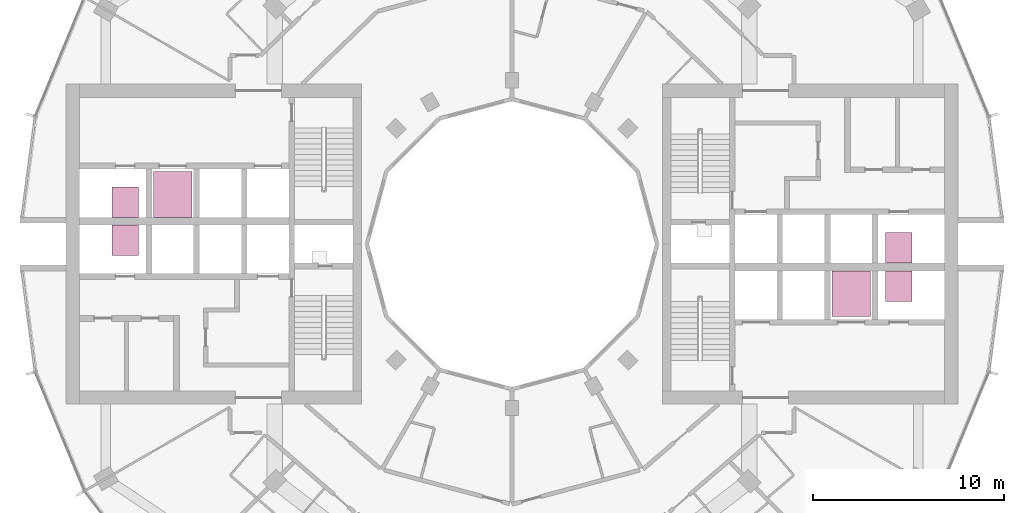
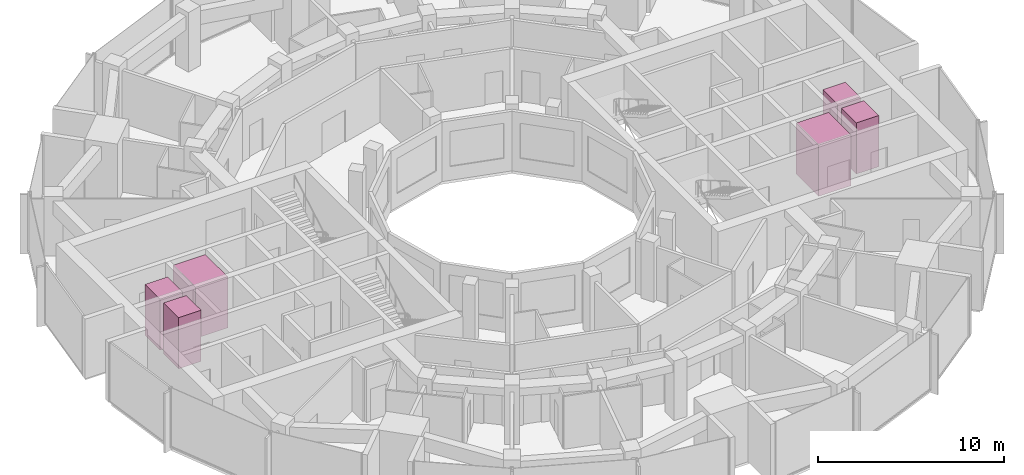
# One storey, part 15 of 15: 6 transport elements.
"""IFC4 building model written with IfcOpenShell, lengths in metres."""

import ifcopenshell
import ifcopenshell.guid

model = None  # the IFC model being written
_history = None  # IfcOwnerHistory: only IFC2X3 demands one
_inside = {}  # id of a spatial element -> (the spatial element, [elements in it])
_under = {}  # id of a project, library or spatial element -> (it, [spatial elements below it])
_declared = {}  # id of a project -> (the project, [libraries it declares])
_typed = {}  # id of a type object -> (the type object, [elements of that type])
_made_of = {}  # id of a material, layer set ... -> (it, [elements and type objects made of it])


def new_model(schema):
    """Start an empty IFC model of exactly this schema.

    Asked for "IFC4X3", IfcOpenShell would pick the latest addendum, in which some entities
    have other attributes; the version numbers below select the first issue.
    IFC2X3 requires an IfcOwnerHistory on every rooted entity: one is made here for all.
    """
    global model, _history
    if schema == "IFC4X3":
        model = ifcopenshell.file(schema_version=(4, 3, 0, 0))
    else:
        model = ifcopenshell.file(schema=schema)
    _inside.clear()
    _under.clear()
    _declared.clear()
    _typed.clear()
    _made_of.clear()
    _history = None
    if model.schema == "IFC2X3":
        org = make("IfcOrganization", Name="unknown")
        user = make(
            "IfcPersonAndOrganization",
            ThePerson=make("IfcPerson", FamilyName="unknown"),
            TheOrganization=org,
        )
        app = make(
            "IfcApplication",
            ApplicationDeveloper=org,
            Version="unknown",
            ApplicationFullName="unknown",
            ApplicationIdentifier="unknown",
        )
        _history = make(
            "IfcOwnerHistory",
            OwningUser=user,
            OwningApplication=app,
            ChangeAction="ADDED",
            CreationDate=0,
        )
    return model


def make(cls, **values):
    """One entity of the class cls with the attributes given. An attribute that is None is left unset."""
    return model.create_entity(
        cls, **{name: value for name, value in values.items() if value is not None}
    )


def rooted(cls, **values):
    """An entity with a GlobalId (a new one), such as an element, a storey or a relation."""
    return make(cls, GlobalId=ifcopenshell.guid.new(), OwnerHistory=_history, **values)


def si_unit(unit_type, name, prefix=None):
    """IfcSIUnit, for example si_unit("LENGTHUNIT", "METRE", prefix="MILLI")."""
    return make("IfcSIUnit", UnitType=unit_type, Prefix=prefix, Name=name)


def assignment(units):
    """IfcUnitAssignment: the units of a project."""
    return None if units is None else make("IfcUnitAssignment", Units=units)


def point(xyz):
    """IfcCartesianPoint."""
    return None if xyz is None else make("IfcCartesianPoint", Coordinates=xyz)


def direction(xyz):
    """IfcDirection."""
    return None if xyz is None else make("IfcDirection", DirectionRatios=xyz)


def frame(location, z_axis=None, x_axis=None):
    """IfcAxis2Placement3D, a coordinate frame: its origin and axes. An axis left out is left unset."""
    return make(
        "IfcAxis2Placement3D",
        Location=point(location),
        Axis=direction(z_axis),
        RefDirection=direction(x_axis),
    )


def frame_2d(location, x_axis=None):
    """IfcAxis2Placement2D, a coordinate frame in the plane: its origin and x axis."""
    return make(
        "IfcAxis2Placement2D", Location=point(location), RefDirection=direction(x_axis)
    )


def origin():
    """The frame at (0, 0, 0) with its axes left unset."""
    return frame((0.0, 0.0, 0.0))


def origin_2d():
    """The frame at (0, 0) in the plane with its x axis left unset."""
    return frame_2d((0.0, 0.0))


def place(relative_to, where):
    """IfcLocalPlacement: puts the frame where relative to a parent placement (None: the world)."""
    return make(
        "IfcLocalPlacement", PlacementRelTo=relative_to, RelativePlacement=where
    )


def context(
    kind, dimensions, precision=None, world=None, true_north=None, identifier=None
):
    """IfcGeometricRepresentationContext, for example the 3D "Model" context."""
    return make(
        "IfcGeometricRepresentationContext",
        ContextIdentifier=identifier,
        ContextType=kind,
        CoordinateSpaceDimension=dimensions,
        Precision=precision,
        WorldCoordinateSystem=world,
        TrueNorth=true_north,
    )


def subcontext(parent, identifier, kind, view, scale=None):
    """IfcGeometricRepresentationSubContext, for example "Body" below "Model"."""
    return make(
        "IfcGeometricRepresentationSubContext",
        ContextIdentifier=identifier,
        ContextType=kind,
        ParentContext=parent,
        TargetScale=scale,
        TargetView=view,
    )


def project(units=None, contexts=None):
    """IfcProject with its units and contexts."""
    return rooted(
        "IfcProject",
        Name="project",
        RepresentationContexts=contexts,
        UnitsInContext=assignment(units),
    )


def spatial(cls, under=None, at=None, **own):
    """A site, building, storey or space (cls), placed at a placement, below another one or the project."""
    s = rooted(cls, ObjectPlacement=at, **own)
    if under is not None:
        _under.setdefault(under.id(), (under, []))[1].append(s)
    return s


def profile(cls, at=None, kind="AREA", **sizes):
    """A parametric profile (cls). Its sizes go by their IFC names, for example OverallWidth=200.0."""
    return make(cls, ProfileType=kind, Position=at, **sizes)


def rectangle(**sizes):
    """IfcRectangleProfileDef."""
    return profile("IfcRectangleProfileDef", **sizes)


def extrude(swept, where, along, depth):
    """IfcExtrudedAreaSolid: the profile swept, set in the frame where, extruded along a direction by depth."""
    return make(
        "IfcExtrudedAreaSolid",
        SweptArea=swept,
        Position=where,
        ExtrudedDirection=direction(along),
        Depth=depth,
    )


def shape(context_of_items, identifier, shape_type, items):
    """IfcShapeRepresentation: the items that make up one representation, for example the "Body"."""
    return make(
        "IfcShapeRepresentation",
        ContextOfItems=context_of_items,
        RepresentationIdentifier=identifier,
        RepresentationType=shape_type,
        Items=items,
    )


def material(Name=None, Category=None):
    """IfcMaterial."""
    return make("IfcMaterial", Name=Name, Category=Category)


def made_of(thing, what):
    """Note that an element or type object is made of a material, layer set ...; save() writes the relation."""
    if what is not None:
        _made_of.setdefault(what.id(), (what, []))[1].append(thing)
    return thing


def type_object(cls, material=None, **own):
    """A type object (cls), such as IfcWallType, which elements share."""
    return made_of(rooted(cls, **own), material)


def element(
    cls,
    number,
    at=None,
    inside=None,
    cuts=None,
    type_object=None,
    material=None,
    context=None,
    identifier="Body",
    shape_type=None,
    held_by="IfcProductDefinitionShape",
    body=None,
    shapes=None,
    **own,
):
    """One element of the class cls, such as IfcWall. Its Tag is "e" and its number.

    at: its placement. inside: the storey or other place that contains it. cuts: it is an
    opening in that element (IfcRelVoidsElement). A single representation is given by context,
    identifier, shape_type and body (its items); several are given by shapes. held_by: the class
    of the entity that holds the representations. save() writes the other relations.
    """
    e = rooted(cls, Tag="e%d" % number, ObjectPlacement=at, **own)
    if body is not None:
        shapes = [shape(context, identifier, shape_type, body)]
    if shapes is not None:
        e.Representation = make(held_by, Representations=shapes)
    if inside is not None:
        _inside.setdefault(inside.id(), (inside, []))[1].append(e)
    if cuts is not None:
        rooted(
            "IfcRelVoidsElement", RelatingBuildingElement=cuts, RelatedOpeningElement=e
        )
    if type_object is not None:
        _typed.setdefault(type_object.id(), (type_object, []))[1].append(e)
    return made_of(e, material)


def aggregate(whole, parts):
    """IfcRelAggregates: a whole, such as a stair, and the parts it consists of."""
    return rooted("IfcRelAggregates", RelatingObject=whole, RelatedObjects=parts)


def save(model, path):
    """Write the relations noted so far, then the file.

    IfcRelAggregates (storeys below a building ...), IfcRelContainedInSpatialStructure (elements
    in a storey), IfcRelDefinesByType, IfcRelAssociatesMaterial and IfcRelDeclares: one each for
    every whole, place, type object, material and project.
    """
    for whole, parts in _under.values():
        aggregate(whole, parts)
    for where, things in _inside.values():
        rooted(
            "IfcRelContainedInSpatialStructure",
            RelatedElements=things,
            RelatingStructure=where,
        )
    for kind, things in _typed.values():
        rooted("IfcRelDefinesByType", RelatedObjects=things, RelatingType=kind)
    for what, things in _made_of.values():
        rooted("IfcRelAssociatesMaterial", RelatedObjects=things, RelatingMaterial=what)
    for by, libraries in _declared.values():
        rooted("IfcRelDeclares", RelatingContext=by, RelatedDefinitions=libraries)
    model.write(path)


model = new_model("IFC4")

# Units and contexts
model_context = context("Model", 3, precision=1e-05, world=origin(), true_north=direction((0.0, 1.0)))
body_context = subcontext(model_context, "Body", "Model", "MODEL_VIEW")
ifc_project = project(units=[si_unit("LENGTHUNIT", "METRE"), si_unit("AREAUNIT", "SQUARE_METRE"), si_unit("VOLUMEUNIT", "CUBIC_METRE"), si_unit("PLANEANGLEUNIT", "RADIAN"), si_unit("MASSUNIT", "GRAM", prefix="KILO")], contexts=[model_context])

# Site, building, storey
site_placement = place(None, origin())
site = spatial("IfcSite", under=ifc_project, at=site_placement, CompositionType="ELEMENT")
building_placement = place(site_placement, origin())
building = spatial("IfcBuilding", under=site, at=building_placement, Name="Torre Brocal", CompositionType="ELEMENT")
storey_placement = place(building_placement, frame((0.0, 0.0, 118.5)))
storey = spatial("IfcBuildingStorey", under=building, at=storey_placement, Name="L27", CompositionType="ELEMENT", Elevation=118.5)

# Transport elements
ifc_material_1 = material(Name="Stainless steel AISI 316", Category="steel")
transport_element_type_1 = type_object("IfcTransportElementType", Name="PASSENGER LIFT 2000", PredefinedType="ELEVATOR", material=ifc_material_1)
for number, where, z_axis, x_axis, name in (
    (1, (97.800048828125, 72.39990234375, 0.0), (0.0, 0.0, 1.0), (1.0, 0.0, 0.0), "LOW RISE LIFT E-LR2"),
    (2, (62.199951171875, 77.60009765625, 0.0), (0.0, 0.0, 1.0), (1.0, 0.0, 0.0), "LOW RISE LIFT W-LR2"),
):
    element("IfcTransportElement", number, at=place(storey_placement, frame(where, z_axis=z_axis, x_axis=x_axis)), inside=storey, type_object=transport_element_type_1, Name=name, PredefinedType="ELEVATOR", context=body_context, shape_type="SweptSolid", body=[
        extrude(rectangle(XDim=2.0, YDim=2.39990234375, at=origin_2d()), origin(), (0.0, 0.0, 1.0), 3.35009765625),
    ])
ifc_material_2 = material(Name="Stainless steel AISI 316", Category="steel")
transport_element_type_2 = type_object("IfcTransportElementType", Name="PASSENGER LIFT 900", PredefinedType="ELEVATOR", material=ifc_material_2)
for number, where, z_axis, x_axis, name in (
    (3, (100.300048828125, 74.800048828125, 0.0), (0.0, 0.0, 1.0), (1.0, 0.0, 0.0), "LOW RISE LIFT E-LR1"),
    (4, (100.300048828125, 72.800048828125, 0.0), (0.0, 0.0, 1.0), (1.0, 0.0, 0.0), "LOW RISE LIFT E-LR3"),
    (5, (59.699951171875, 75.199951171875, 0.0), (0.0, 0.0, 1.0), (1.0, 0.0, 0.0), "LOW RISE LIFT W-LR1"),
    (6, (59.699951171875, 77.199951171875, 0.0), (0.0, 0.0, 1.0), (1.0, 0.0, 0.0), "LOW RISE LIFT W-LR3"),
):
    element("IfcTransportElement", number, at=place(storey_placement, frame(where, z_axis=z_axis, x_axis=x_axis)), inside=storey, type_object=transport_element_type_2, Name=name, PredefinedType="ELEVATOR", context=body_context, shape_type="SweptSolid", body=[
        extrude(rectangle(XDim=1.39990234375, YDim=1.60009765625, at=origin_2d()), origin(), (0.0, 0.0, 1.0), 3.35009765625),
    ])

save(model, "model.ifc")
